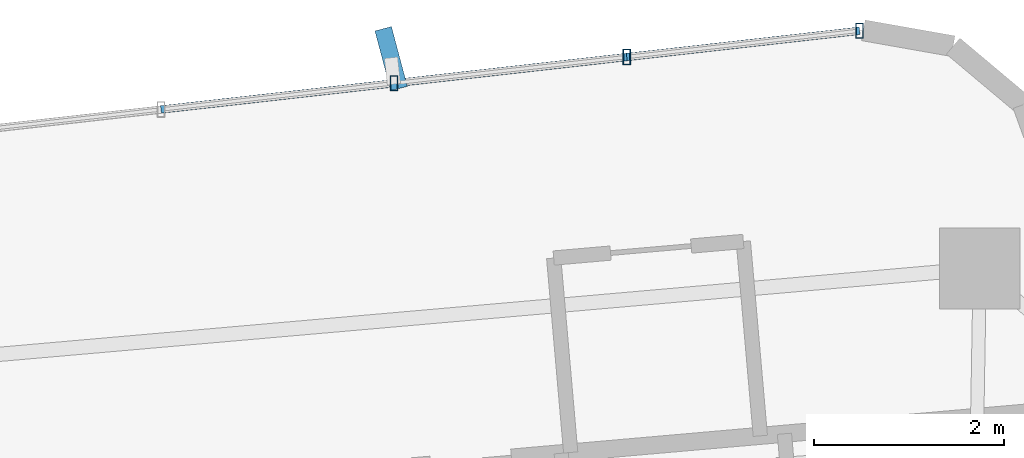
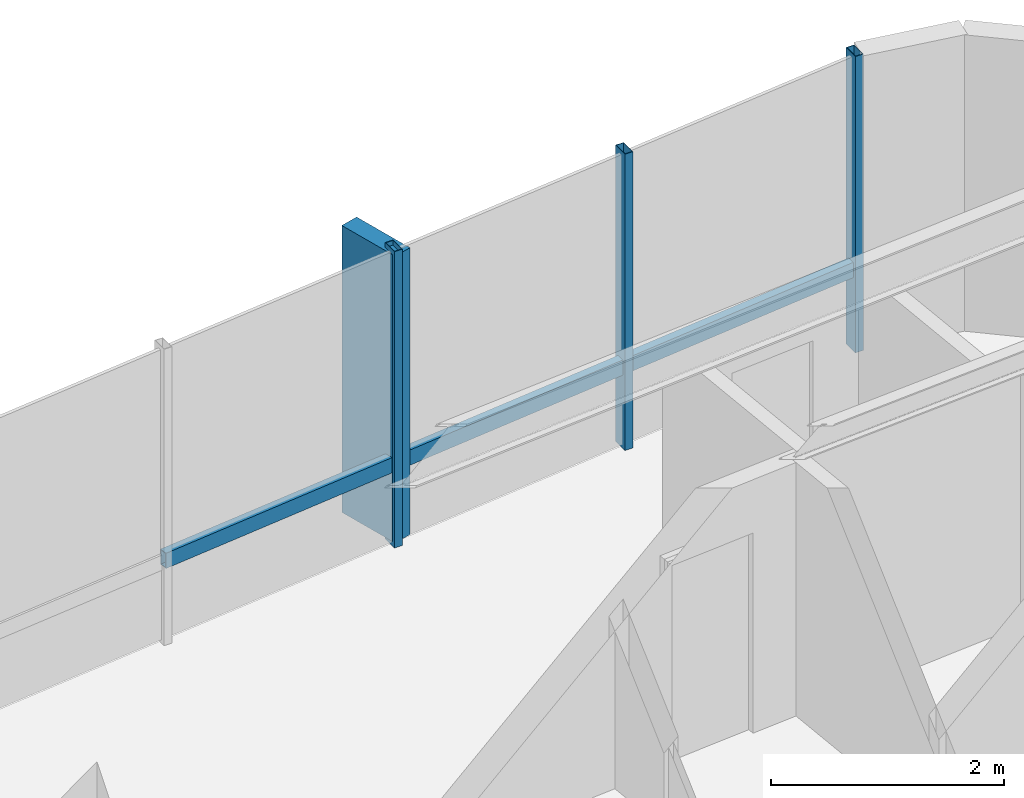
# One storey, part 18 of 24: 7 members, 1 element without a shape of its own.
"""IFC4 building model written with IfcOpenShell, lengths in metres."""

from ifc_helpers import new_model, si_unit, direction, frame, origin, origin_2d, place, context, subcontext, project, spatial, rectangle, hollow_rectangle, extrude, source, transform, mapped, material, material_profile, profile_set, type_object, element, aggregate, save


model = new_model("IFC4")

# Units and contexts
model_context = context("Model", 3, precision=1e-05, world=origin(), true_north=direction((0.0, 1.0)))
body_context = subcontext(model_context, "Body", "Model", "MODEL_VIEW")
ifc_project = project(units=[si_unit("LENGTHUNIT", "METRE"), si_unit("AREAUNIT", "SQUARE_METRE"), si_unit("VOLUMEUNIT", "CUBIC_METRE"), si_unit("PLANEANGLEUNIT", "RADIAN"), si_unit("MASSUNIT", "GRAM", prefix="KILO")], contexts=[model_context])

# Site, building, storey
site_placement = place(None, origin())
site = spatial("IfcSite", under=ifc_project, at=site_placement, CompositionType="ELEMENT")
building_placement = place(site_placement, origin())
building = spatial("IfcBuilding", under=site, at=building_placement, Name="Sahyath Konkavel Grand Hotel", CompositionType="ELEMENT")
storey_placement = place(building_placement, frame((0.0, 0.0, 157.300048828125)))
storey = spatial("IfcBuildingStorey", under=building, at=storey_placement, Name="L43", CompositionType="ELEMENT", Elevation=157.300048828125)

# Curtain wall, members
ifc_material_1 = material(Name="Anodised Bronze Aluminium & Low-E Glazing", Category="aluminium")
curtain_wall_type = type_object("IfcCurtainWallType", Name="CW-ZONE3", PredefinedType="NOTDEFINED", material=ifc_material_1)
curtain_wall_placement = place(storey_placement, origin())
curtain_wall = element("IfcCurtainWall", 1, at=curtain_wall_placement, inside=storey, type_object=curtain_wall_type, Name="L43 Unitised Curtain Wall F12", PredefinedType="NOTDEFINED")
ifc_material_2 = material(Name="Anodised Bronze Aluminium", Category="aluminium")
ifc_material_profile_1 = material_profile(ifc_material_2, hollow_rectangle(XDim=0.080078125, YDim=0.159912109375, WallThickness=0.006103515625, at=origin_2d()), Name="RHS 160x80x6")
ifc_profile_set_1 = profile_set([ifc_material_profile_1], Name="Anodised Bronze Aluminium")
member_type_1 = type_object("IfcMemberType", Name="CW-MUL-160", PredefinedType="MULLION", material=ifc_profile_set_1)
shared_shape_1 = source(origin(), body_context, "Body", "SweptSolid", [
    extrude(hollow_rectangle(XDim=0.080078125, YDim=0.159912109375, WallThickness=0.006103515625, at=origin_2d()), origin(), (0.0, 0.0, 1.0), 3.10986328125),
])
member_1_placement = place(storey_placement, frame((2.673828125, 20.610595703125, 0.0), z_axis=(0.0, 0.0, 1.0), x_axis=(1.0, 0.0, 0.0)))
member_1 = element("IfcMember", 2, at=member_1_placement, type_object=member_type_1, Name="L43 Curtain Wall Mullion F12-0", PredefinedType="MULLION", context=body_context, shape_type="MappedRepresentation", body=[
    mapped(shared_shape_1, transform((0.0, 0.0, 0.0), scale=1.0)),
])
member_2_placement = place(storey_placement, frame((0.227294921875, 20.334716796875, 0.0), z_axis=(0.0, 0.0, 1.0), x_axis=(1.0, 0.0, 0.0)))
member_2 = element("IfcMember", 3, at=member_2_placement, type_object=member_type_1, Name="L43 Curtain Wall Mullion F12-1", PredefinedType="MULLION", context=body_context, shape_type="MappedRepresentation", body=[
    mapped(shared_shape_1, transform((0.0, 0.0, 0.0), scale=1.0)),
])
member_3_placement = place(storey_placement, frame((-2.21923828125, 20.05908203125, 0.0), z_axis=(0.0, 0.0, 1.0), x_axis=(1.0, 0.0, 0.0)))
member_3 = element("IfcMember", 4, at=member_3_placement, type_object=member_type_1, Name="L43 Curtain Wall Mullion F12-2", PredefinedType="MULLION", context=body_context, shape_type="MappedRepresentation", body=[
    mapped(shared_shape_1, transform((0.0, 0.0, 0.0), scale=1.0)),
])
ifc_material_3 = material(Name="Warm Buff Sandstone Cladding on Concrete C50/60", Category="masonry")
ifc_material_profile_2 = material_profile(ifc_material_3, rectangle(XDim=0.179931640625, YDim=0.64990234375, at=origin_2d()), Name="FIN 180x650")
ifc_profile_set_2 = profile_set([ifc_material_profile_2], Name="Warm Buff Sandstone Cladding on Concrete C50/60")
member_type_2 = type_object("IfcMemberType", Name="FIN-SANDSTONE-650", PredefinedType="MULLION", material=ifc_profile_set_2)
shared_shape_2 = source(origin(), body_context, "Body", "SweptSolid", [
    extrude(rectangle(XDim=0.179931640625, YDim=0.64990234375, at=origin_2d()), origin(), (0.0, 0.0, 1.0), 3.010009765625),
])
member_4_placement = place(storey_placement, frame((-2.248291015625, 20.3173828125, 0.050048828125), z_axis=(0.0, 0.0, 1.0), x_axis=(0.966420942741, 0.256964124795, 0.0)))
member_4 = element("IfcMember", 5, at=member_4_placement, type_object=member_type_2, Name="L43 Sandstone Vertical Solar Fin FIN F12-2", PredefinedType="MULLION", context=body_context, shape_type="MappedRepresentation", body=[
    mapped(shared_shape_2, transform((0.0, 0.0, 0.0), scale=1.0)),
])
ifc_material_profile_3 = material_profile(ifc_material_2, hollow_rectangle(XDim=0.080078125, YDim=0.159912109375, WallThickness=0.006103515625, at=origin_2d()), Name="RHS 160x80x6")
ifc_profile_set_3 = profile_set([ifc_material_profile_3], Name="Anodised Bronze Aluminium")
member_type_3 = type_object("IfcMemberType", Name="CW-TRN-160", PredefinedType="USERDEFINED", material=ifc_profile_set_3)
shared_shape_3 = source(origin(), body_context, "Body", "SweptSolid", [
    extrude(hollow_rectangle(XDim=0.080078125, YDim=0.159912109375, WallThickness=0.006103515625, at=origin_2d()), origin(), (0.0, 0.0, 1.0), 2.462158203125),
])
member_5_placement = place(storey_placement, frame((2.673828125, 20.610595703125, 0.849853515625), z_axis=(-0.99370222711, -0.112053040279, 0.0), x_axis=(0.112053040279, -0.99370222711, 0.0)))
member_5 = element("IfcMember", 6, at=member_5_placement, type_object=member_type_3, Name="L43 Curtain Wall Transom F12-0-spandrel", ObjectType="TRANSOM", PredefinedType="USERDEFINED", context=body_context, shape_type="MappedRepresentation", body=[
    mapped(shared_shape_3, transform((0.0, 0.0, 0.0), scale=1.0)),
])
member_6_placement = place(storey_placement, frame((-2.21923828125, 20.05908203125, 0.849853515625), z_axis=(-0.99370222711, -0.112053040279, 0.0), x_axis=(0.112053040279, -0.99370222711, 0.0)))
member_6 = element("IfcMember", 7, at=member_6_placement, type_object=member_type_3, Name="L43 Curtain Wall Transom F12-2-spandrel", ObjectType="TRANSOM", PredefinedType="USERDEFINED", context=body_context, shape_type="MappedRepresentation", body=[
    mapped(shared_shape_3, transform((0.0, 0.0, 0.0), scale=1.0)),
])
shared_shape_4 = source(origin(), body_context, "Body", "SweptSolid", [
    extrude(hollow_rectangle(XDim=0.080078125, YDim=0.159912109375, WallThickness=0.006103515625, at=origin_2d()), origin(), (0.0, 0.0, 1.0), 2.4619140625),
])
member_7_placement = place(storey_placement, frame((0.227294921875, 20.334716796875, 0.849853515625), z_axis=(-0.993713263833, -0.111955121731, 0.0), x_axis=(0.111955121731, -0.993713263833, 0.0)))
member_7 = element("IfcMember", 8, at=member_7_placement, type_object=member_type_3, Name="L43 Curtain Wall Transom F12-1-spandrel", ObjectType="TRANSOM", PredefinedType="USERDEFINED", context=body_context, shape_type="MappedRepresentation", body=[
    mapped(shared_shape_4, transform((0.0, 0.0, 0.0), scale=1.0)),
])
aggregate(curtain_wall, [member_1, member_2, member_3, member_4, member_5, member_7, member_6])

save(model, "model.ifc")
